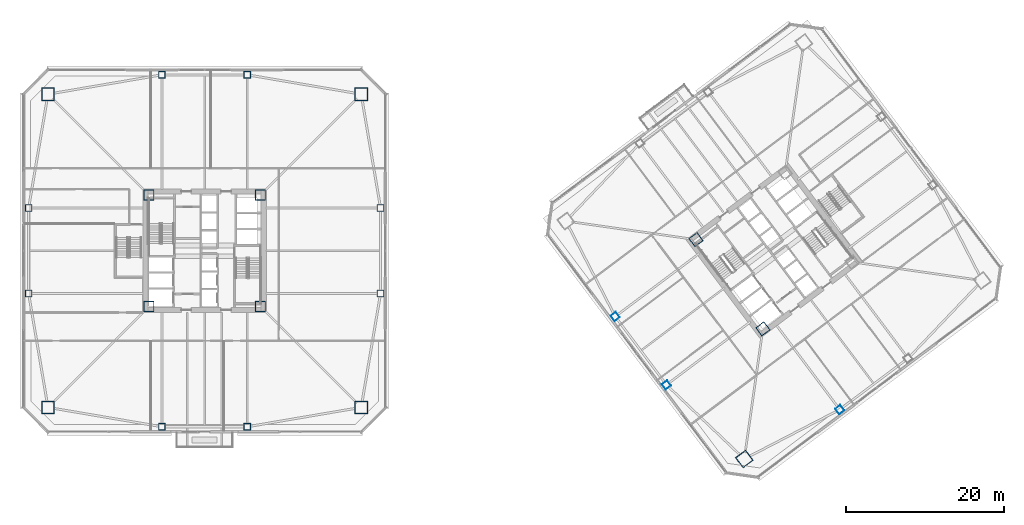
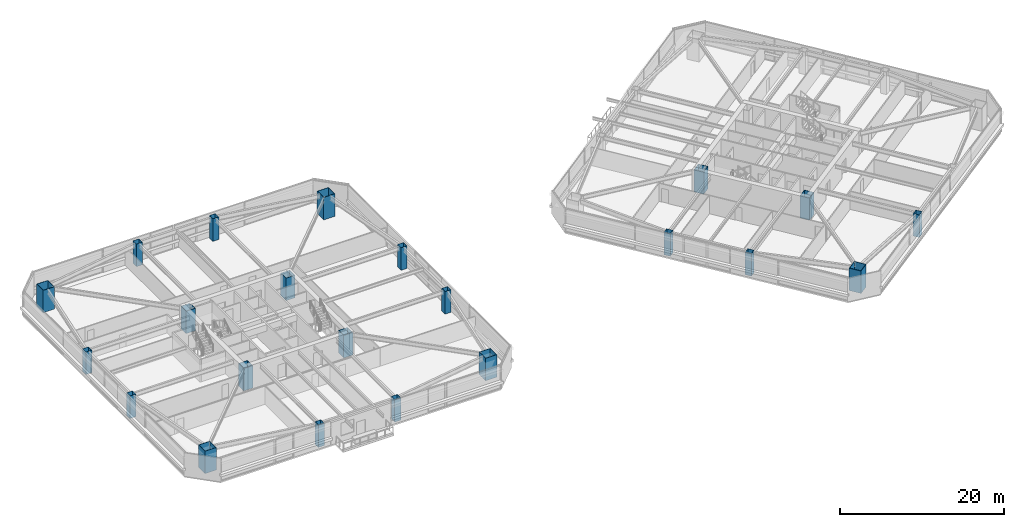
# One storey, part 1 of 45: 22 columns.
"""IFC4 building model written with IfcOpenShell, lengths in metres."""

from ifc_helpers import new_model, si_unit, direction, frame, origin, origin_2d, place, context, subcontext, project, spatial, hollow_rectangle, extrude, material, material_profile, profile_set, type_object, element, save


model = new_model("IFC4")

# Units and contexts
model_context = context("Model", 3, precision=1e-05, world=origin(), true_north=direction((0.0, 1.0)))
body_context = subcontext(model_context, "Body", "Model", "MODEL_VIEW")
ifc_project = project(units=[si_unit("LENGTHUNIT", "METRE"), si_unit("AREAUNIT", "SQUARE_METRE"), si_unit("VOLUMEUNIT", "CUBIC_METRE"), si_unit("PLANEANGLEUNIT", "RADIAN"), si_unit("MASSUNIT", "GRAM", prefix="KILO")], contexts=[model_context])

# Site, building, storey
site_placement = place(None, origin())
site = spatial("IfcSite", under=ifc_project, at=site_placement, CompositionType="ELEMENT")
building_placement = place(site_placement, origin())
building = spatial("IfcBuilding", under=site, at=building_placement, Name="Tashvorn Skyway Center", CompositionType="ELEMENT")
storey_placement = place(building_placement, frame((0.0, 0.0, 35.25)))
storey = spatial("IfcBuildingStorey", under=building, at=storey_placement, Name="L08", CompositionType="ELEMENT", Elevation=35.25)

# Columns
ifc_material = material(Name="Steel ASTM A572 Grade 50", Category="steel")
ifc_material_profile_1 = material_profile(ifc_material, hollow_rectangle(XDim=1.300048828125, YDim=1.300048828125, WallThickness=0.050048828125, at=origin_2d()), Name="BOX1300x1300x50")
ifc_profile_set_1 = profile_set([ifc_material_profile_1], Name="Steel ASTM A572 Grade 50")
column_type_1 = type_object("IfcColumnType", Name="COL-BOX1300x1300x50", PredefinedType="COLUMN", material=ifc_profile_set_1)
for number, where, z_axis, x_axis, name in (
    (1, (34.949951171875, 24.949951171875, 0.0), (0.0, 0.0, 1.0), (1.0, 0.0, 0.0), "Tower 1 L08 Core Corner Column CC-SW"),
    (2, (49.050048828125, 24.949951171875, 0.0), (0.0, 0.0, 1.0), (1.0, 0.0, 0.0), "Tower 1 L08 Core Corner Column CC-SE"),
    (3, (49.050048828125, 39.050048828125, 0.0), (0.0, 0.0, 1.0), (1.0, 0.0, 0.0), "Tower 1 L08 Core Corner Column CC-NE"),
    (4, (34.949951171875, 39.050048828125, 0.0), (0.0, 0.0, 1.0), (1.0, 0.0, 0.0), "Tower 1 L08 Core Corner Column CC-NW"),
    (5, (112.590087890625, 22.1298828125, 0.0), (0.0, 0.0, 1.0), (0.799999996291, 0.600000004945, 0.0), "Tower 2 L08 Core Corner Column CC-SW"),
    (6, (104.1298828125, 33.409912109375, 0.0), (0.0, 0.0, 1.0), (0.799999996291, 0.600000004945, 0.0), "Tower 2 L08 Core Corner Column CC-NW"),
):
    element("IfcColumn", number, at=place(storey_placement, frame(where, z_axis=z_axis, x_axis=x_axis)), inside=storey, type_object=column_type_1, Name=name, PredefinedType="COLUMN", context=body_context, shape_type="SweptSolid", body=[
        extrude(hollow_rectangle(XDim=1.300048828125, YDim=1.300048828125, WallThickness=0.050048828125, at=origin_2d()), origin(), (0.0, 0.0, 1.0), 3.35009765625),
    ])
ifc_material_profile_2 = material_profile(ifc_material, hollow_rectangle(XDim=1.60009765625, YDim=1.60009765625, WallThickness=0.06005859375, at=origin_2d()), Name="BOX1600x1600x60")
ifc_profile_set_2 = profile_set([ifc_material_profile_2], Name="Steel ASTM A572 Grade 50")
column_type_2 = type_object("IfcColumnType", Name="COL-BOX1600x1600x60", PredefinedType="COLUMN", material=ifc_profile_set_2)
for number, where, z_axis, x_axis, name in (
    (7, (22.199951171875, 12.199951171875, 0.0), (0.0, 0.0, 1.0), (1.0, 0.0, 0.0), "Tower 1 L08 Mega-Column MC-SW"),
    (8, (61.800048828125, 12.199951171875, 0.0), (0.0, 0.0, 1.0), (1.0, 0.0, 0.0), "Tower 1 L08 Mega-Column MC-SE"),
    (9, (61.800048828125, 51.800048828125, 0.0), (0.0, 0.0, 1.0), (1.0, 0.0, 0.0), "Tower 1 L08 Mega-Column MC-NE"),
    (10, (22.199951171875, 51.800048828125, 0.0), (0.0, 0.0, 1.0), (1.0, 0.0, 0.0), "Tower 1 L08 Mega-Column MC-NW"),
    (11, (110.239990234375, 5.679931640625, 0.0), (0.0, 0.0, 1.0), (0.799999996291, 0.600000004945, 0.0), "Tower 2 L08 Mega-Column MC-SW"),
):
    element("IfcColumn", number, at=place(storey_placement, frame(where, z_axis=z_axis, x_axis=x_axis)), inside=storey, type_object=column_type_2, Name=name, PredefinedType="COLUMN", context=body_context, shape_type="SweptSolid", body=[
        extrude(hollow_rectangle(XDim=1.60009765625, YDim=1.60009765625, WallThickness=0.06005859375, at=origin_2d()), origin(), (0.0, 0.0, 1.0), 3.35009765625),
    ])
ifc_material_profile_3 = material_profile(ifc_material, hollow_rectangle(XDim=0.85009765625, YDim=0.85009765625, WallThickness=0.034912109375, at=origin_2d()), Name="BOX850x850x35")
ifc_profile_set_3 = profile_set([ifc_material_profile_3], Name="Steel ASTM A572 Grade 50")
column_type_3 = type_object("IfcColumnType", Name="COL-BOX850x850x35", PredefinedType="COLUMN", material=ifc_profile_set_3)
for number, where, z_axis, x_axis, name in (
    (12, (36.60009765625, 9.75, 0.0), (0.0, 0.0, 1.0), (1.0, 0.0, 0.0), "Tower 1 L08 Perimeter Column FC-S1"),
    (13, (47.39990234375, 9.75, 0.0), (0.0, 0.0, 1.0), (1.0, 0.0, 0.0), "Tower 1 L08 Perimeter Column FC-S2"),
    (14, (64.25, 26.60009765625, 0.0), (0.0, 0.0, 1.0), (1.0, 0.0, 0.0), "Tower 1 L08 Perimeter Column FC-E1"),
    (15, (64.25, 37.39990234375, 0.0), (0.0, 0.0, 1.0), (1.0, 0.0, 0.0), "Tower 1 L08 Perimeter Column FC-E2"),
    (16, (47.39990234375, 54.25, 0.0), (0.0, 0.0, 1.0), (1.0, 0.0, 0.0), "Tower 1 L08 Perimeter Column FC-N1"),
    (17, (36.60009765625, 54.25, 0.0), (0.0, 0.0, 1.0), (1.0, 0.0, 0.0), "Tower 1 L08 Perimeter Column FC-N2"),
    (18, (19.75, 37.39990234375, 0.0), (0.0, 0.0, 1.0), (1.0, 0.0, 0.0), "Tower 1 L08 Perimeter Column FC-W1"),
    (19, (19.75, 26.60009765625, 0.0), (0.0, 0.0, 1.0), (1.0, 0.0, 0.0), "Tower 1 L08 Perimeter Column FC-W2"),
    (20, (122.31005859375, 11.919921875, 0.0), (0.0, 0.0, 1.0), (0.799999996291, 0.600000004945, 0.0), "Tower 2 L08 Perimeter Column FC-S1"),
    (21, (93.919921875, 23.68994140625, 0.0), (0.0, 0.0, 1.0), (0.799999996291, 0.600000004945, 0.0), "Tower 2 L08 Perimeter Column FC-W1"),
    (22, (100.39990234375, 15.050048828125, 0.0), (0.0, 0.0, 1.0), (0.799999996291, 0.600000004945, 0.0), "Tower 2 L08 Perimeter Column FC-W2"),
):
    element("IfcColumn", number, at=place(storey_placement, frame(where, z_axis=z_axis, x_axis=x_axis)), inside=storey, type_object=column_type_3, Name=name, PredefinedType="COLUMN", context=body_context, shape_type="SweptSolid", body=[
        extrude(hollow_rectangle(XDim=0.85009765625, YDim=0.85009765625, WallThickness=0.034912109375, at=origin_2d()), origin(), (0.0, 0.0, 1.0), 3.35009765625),
    ])

save(model, "model.ifc")
